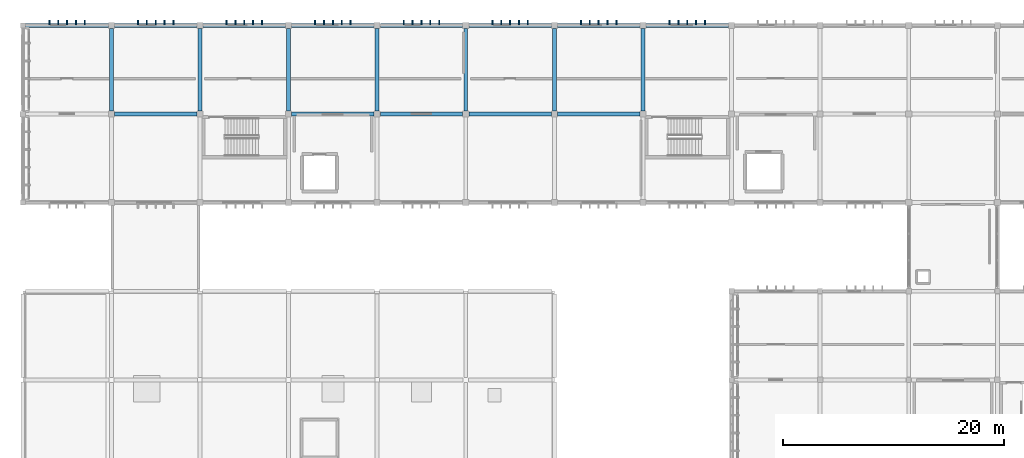
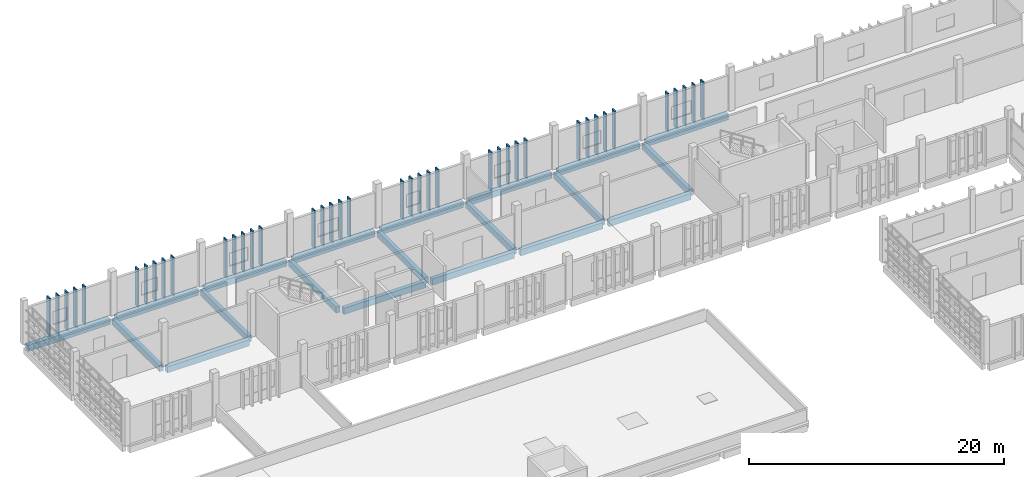
# One storey, part 5 of 32: 40 members, 20 beams.
"""IFC4 building model written with IfcOpenShell, lengths in metres."""

from ifc_helpers import new_model, si_unit, direction, frame, origin, origin_2d, place, context, subcontext, project, spatial, rectangle, extrude, material, material_profile, profile_set, type_object, element, save


model = new_model("IFC4")

# Units and contexts
model_context = context("Model", 3, precision=1e-05, world=origin(), true_north=direction((0.0, 1.0)))
body_context = subcontext(model_context, "Body", "Model", "MODEL_VIEW")
ifc_project = project(units=[si_unit("LENGTHUNIT", "METRE"), si_unit("AREAUNIT", "SQUARE_METRE"), si_unit("VOLUMEUNIT", "CUBIC_METRE"), si_unit("PLANEANGLEUNIT", "RADIAN"), si_unit("MASSUNIT", "GRAM", prefix="KILO")], contexts=[model_context])

# Site, building, storey
site_placement = place(None, origin())
site = spatial("IfcSite", under=ifc_project, at=site_placement, CompositionType="ELEMENT")
building_placement = place(site_placement, origin())
building = spatial("IfcBuilding", under=site, at=building_placement, Name="Jelvoka-Kovrelna Polytechnic", CompositionType="ELEMENT")
storey_placement = place(building_placement, frame((0.0, 0.0, 26.39990234375)))
storey = spatial("IfcBuildingStorey", under=building, at=storey_placement, Name="L07", CompositionType="ELEMENT", Elevation=26.39990234375)

# Beams
ifc_material_1 = material(Name="Concrete C35/45", Category="concrete")
ifc_material_profile_1 = material_profile(ifc_material_1, rectangle(XDim=0.35009765625, YDim=0.60009765625, at=origin_2d()), Name="RC 350x600")
ifc_profile_set_1 = profile_set([ifc_material_profile_1], Name="Concrete C35/45")
beam_type_1 = type_object("IfcBeamType", Name="Beam_RC_350x600", PredefinedType="BEAM", material=ifc_profile_set_1)
for number, where, z_axis, x_axis, name in (
    (1, (72.280029296875, 64.0, -0.539794921875), (1.0, 0.0, 0.0), (0.0, 1.0, 0.0), "L07 beam 1834"),
    (2, (88.280029296875, 64.0, -0.539794921875), (1.0, 0.0, 0.0), (0.0, 1.0, 0.0), "L07 beam 1835"),
    (3, (96.280029296875, 64.0, -0.539794921875), (1.0, 0.0, 0.0), (0.0, 1.0, 0.0), "L07 beam 1836"),
    (4, (104.280029296875, 64.0, -0.539794921875), (1.0, 0.0, 0.0), (0.0, 1.0, 0.0), "L07 beam 1837"),
    (5, (72.0, 64.280029296875, -0.539794921875), (0.0, 1.0, 0.0), (-1.0, 0.0, 0.0), "L07 beam 1847"),
    (6, (80.0, 64.280029296875, -0.539794921875), (0.0, 1.0, 0.0), (-1.0, 0.0, 0.0), "L07 beam 1849"),
    (7, (88.0, 64.280029296875, -0.539794921875), (0.0, 1.0, 0.0), (-1.0, 0.0, 0.0), "L07 beam 1851"),
    (8, (96.0, 64.280029296875, -0.539794921875), (0.0, 1.0, 0.0), (-1.0, 0.0, 0.0), "L07 beam 1853"),
    (9, (104.0, 64.280029296875, -0.539794921875), (0.0, 1.0, 0.0), (-1.0, 0.0, 0.0), "L07 beam 1855"),
    (10, (112.0, 64.280029296875, -0.539794921875), (0.0, 1.0, 0.0), (-1.0, 0.0, 0.0), "L07 beam 1857"),
    (11, (112.280029296875, 64.0, -0.539794921875), (1.0, 0.0, 0.0), (0.0, 1.0, 0.0), "L07 beam 1867"),
    (12, (120.0, 64.280029296875, -0.539794921875), (0.0, 1.0, 0.0), (-1.0, 0.0, 0.0), "L07 beam 1884"),
):
    element("IfcBeam", number, at=place(storey_placement, frame(where, z_axis=z_axis, x_axis=x_axis)), inside=storey, type_object=beam_type_1, Name=name, PredefinedType="BEAM", context=body_context, shape_type="SweptSolid", body=[
        extrude(rectangle(XDim=0.35009765625, YDim=0.60009765625, at=origin_2d()), origin(), (0.0, 0.0, 1.0), 7.43994140625),
    ])

# Members
ifc_material_2 = material(Name="Precast concrete C40/50", Category="concrete")
ifc_material_profile_2 = material_profile(ifc_material_2, rectangle(XDim=0.1201171875, YDim=0.449951171875, at=origin_2d()), Name="PC 120x450")
ifc_profile_set_2 = profile_set([ifc_material_profile_2], Name="Precast concrete C40/50")
member_type = type_object("IfcMemberType", Name="Louvre_Fin_120x450", PredefinedType="USERDEFINED", material=ifc_profile_set_2)
for number, where, z_axis, x_axis, name in (
    (13, (66.39990234375, 72.264892578125, -0.27001953125), (0.0, 0.0, 1.0), (1.0, 0.0, 0.0), "L07 B3 north vertical solar louvre fin 2086"),
    (14, (67.199951171875, 72.264892578125, -0.27001953125), (0.0, 0.0, 1.0), (1.0, 0.0, 0.0), "L07 B3 north vertical solar louvre fin 2087"),
    (15, (68.0, 72.264892578125, -0.27001953125), (0.0, 0.0, 1.0), (1.0, 0.0, 0.0), "L07 B3 north vertical solar louvre fin 2088"),
    (16, (68.800048828125, 72.264892578125, -0.27001953125), (0.0, 0.0, 1.0), (1.0, 0.0, 0.0), "L07 B3 north vertical solar louvre fin 2089"),
    (17, (69.60009765625, 72.264892578125, -0.27001953125), (0.0, 0.0, 1.0), (1.0, 0.0, 0.0), "L07 B3 north vertical solar louvre fin 2090"),
    (18, (74.39990234375, 72.264892578125, -0.27001953125), (0.0, 0.0, 1.0), (1.0, 0.0, 0.0), "L07 B3 north vertical solar louvre fin 2096"),
    (19, (75.199951171875, 72.264892578125, -0.27001953125), (0.0, 0.0, 1.0), (1.0, 0.0, 0.0), "L07 B3 north vertical solar louvre fin 2097"),
    (20, (76.0, 72.264892578125, -0.27001953125), (0.0, 0.0, 1.0), (1.0, 0.0, 0.0), "L07 B3 north vertical solar louvre fin 2098"),
    (21, (76.800048828125, 72.264892578125, -0.27001953125), (0.0, 0.0, 1.0), (1.0, 0.0, 0.0), "L07 B3 north vertical solar louvre fin 2099"),
    (22, (77.60009765625, 72.264892578125, -0.27001953125), (0.0, 0.0, 1.0), (1.0, 0.0, 0.0), "L07 B3 north vertical solar louvre fin 2100"),
    (23, (82.39990234375, 72.264892578125, -0.27001953125), (0.0, 0.0, 1.0), (1.0, 0.0, 0.0), "L07 B3 north vertical solar louvre fin 2106"),
    (24, (83.199951171875, 72.264892578125, -0.27001953125), (0.0, 0.0, 1.0), (1.0, 0.0, 0.0), "L07 B3 north vertical solar louvre fin 2107"),
    (25, (84.0, 72.264892578125, -0.27001953125), (0.0, 0.0, 1.0), (1.0, 0.0, 0.0), "L07 B3 north vertical solar louvre fin 2108"),
    (26, (84.800048828125, 72.264892578125, -0.27001953125), (0.0, 0.0, 1.0), (1.0, 0.0, 0.0), "L07 B3 north vertical solar louvre fin 2109"),
    (27, (85.60009765625, 72.264892578125, -0.27001953125), (0.0, 0.0, 1.0), (1.0, 0.0, 0.0), "L07 B3 north vertical solar louvre fin 2110"),
    (28, (90.39990234375, 72.264892578125, -0.27001953125), (0.0, 0.0, 1.0), (1.0, 0.0, 0.0), "L07 B3 north vertical solar louvre fin 2116"),
    (29, (91.199951171875, 72.264892578125, -0.27001953125), (0.0, 0.0, 1.0), (1.0, 0.0, 0.0), "L07 B3 north vertical solar louvre fin 2117"),
    (30, (92.0, 72.264892578125, -0.27001953125), (0.0, 0.0, 1.0), (1.0, 0.0, 0.0), "L07 B3 north vertical solar louvre fin 2118"),
    (31, (92.800048828125, 72.264892578125, -0.27001953125), (0.0, 0.0, 1.0), (1.0, 0.0, 0.0), "L07 B3 north vertical solar louvre fin 2119"),
    (32, (93.60009765625, 72.264892578125, -0.27001953125), (0.0, 0.0, 1.0), (1.0, 0.0, 0.0), "L07 B3 north vertical solar louvre fin 2120"),
    (33, (98.39990234375, 72.264892578125, -0.27001953125), (0.0, 0.0, 1.0), (1.0, 0.0, 0.0), "L07 B3 north vertical solar louvre fin 2126"),
    (34, (99.199951171875, 72.264892578125, -0.27001953125), (0.0, 0.0, 1.0), (1.0, 0.0, 0.0), "L07 B3 north vertical solar louvre fin 2127"),
    (35, (100.0, 72.264892578125, -0.27001953125), (0.0, 0.0, 1.0), (1.0, 0.0, 0.0), "L07 B3 north vertical solar louvre fin 2128"),
    (36, (100.800048828125, 72.264892578125, -0.27001953125), (0.0, 0.0, 1.0), (1.0, 0.0, 0.0), "L07 B3 north vertical solar louvre fin 2129"),
    (37, (101.60009765625, 72.264892578125, -0.27001953125), (0.0, 0.0, 1.0), (1.0, 0.0, 0.0), "L07 B3 north vertical solar louvre fin 2130"),
    (38, (106.39990234375, 72.264892578125, -0.27001953125), (0.0, 0.0, 1.0), (1.0, 0.0, 0.0), "L07 B3 north vertical solar louvre fin 2136"),
    (39, (107.199951171875, 72.264892578125, -0.27001953125), (0.0, 0.0, 1.0), (1.0, 0.0, 0.0), "L07 B3 north vertical solar louvre fin 2137"),
    (40, (108.0, 72.264892578125, -0.27001953125), (0.0, 0.0, 1.0), (1.0, 0.0, 0.0), "L07 B3 north vertical solar louvre fin 2138"),
    (41, (108.800048828125, 72.264892578125, -0.27001953125), (0.0, 0.0, 1.0), (1.0, 0.0, 0.0), "L07 B3 north vertical solar louvre fin 2139"),
    (42, (109.60009765625, 72.264892578125, -0.27001953125), (0.0, 0.0, 1.0), (1.0, 0.0, 0.0), "L07 B3 north vertical solar louvre fin 2140"),
    (43, (114.39990234375, 72.264892578125, -0.27001953125), (0.0, 0.0, 1.0), (1.0, 0.0, 0.0), "L07 B3 north vertical solar louvre fin 2146"),
    (44, (115.199951171875, 72.264892578125, -0.27001953125), (0.0, 0.0, 1.0), (1.0, 0.0, 0.0), "L07 B3 north vertical solar louvre fin 2147"),
    (45, (116.0, 72.264892578125, -0.27001953125), (0.0, 0.0, 1.0), (1.0, 0.0, 0.0), "L07 B3 north vertical solar louvre fin 2148"),
    (46, (116.800048828125, 72.264892578125, -0.27001953125), (0.0, 0.0, 1.0), (1.0, 0.0, 0.0), "L07 B3 north vertical solar louvre fin 2149"),
    (47, (117.60009765625, 72.264892578125, -0.27001953125), (0.0, 0.0, 1.0), (1.0, 0.0, 0.0), "L07 B3 north vertical solar louvre fin 2150"),
    (48, (122.39990234375, 72.264892578125, -0.27001953125), (0.0, 0.0, 1.0), (1.0, 0.0, 0.0), "L07 B3 north vertical solar louvre fin 2156"),
    (49, (123.199951171875, 72.264892578125, -0.27001953125), (0.0, 0.0, 1.0), (1.0, 0.0, 0.0), "L07 B3 north vertical solar louvre fin 2157"),
    (50, (124.0, 72.264892578125, -0.27001953125), (0.0, 0.0, 1.0), (1.0, 0.0, 0.0), "L07 B3 north vertical solar louvre fin 2158"),
    (51, (124.800048828125, 72.264892578125, -0.27001953125), (0.0, 0.0, 1.0), (1.0, 0.0, 0.0), "L07 B3 north vertical solar louvre fin 2159"),
    (52, (125.60009765625, 72.264892578125, -0.27001953125), (0.0, 0.0, 1.0), (1.0, 0.0, 0.0), "L07 B3 north vertical solar louvre fin 2160"),
):
    element("IfcMember", number, at=place(storey_placement, frame(where, z_axis=z_axis, x_axis=x_axis)), inside=storey, type_object=member_type, Name=name, ObjectType="SUNSHADE", PredefinedType="USERDEFINED", context=body_context, shape_type="SweptSolid", body=[
        extrude(rectangle(XDim=0.1201171875, YDim=0.449951171875, at=origin_2d()), origin(), (0.0, 0.0, 1.0), 3.670166015625),
    ])

# Beams
ifc_material_3 = material(Name="Concrete C40/50", Category="concrete")
ifc_material_profile_3 = material_profile(ifc_material_3, rectangle(XDim=0.35009765625, YDim=0.60009765625, at=origin_2d()), Name="RC 350x600")
ifc_profile_set_3 = profile_set([ifc_material_profile_3], Name="Concrete C40/50")
beam_type_2 = type_object("IfcBeamType", Name="Spandrel_RC_350x600", PredefinedType="SPANDREL", material=ifc_profile_set_3)
beam_placement = place(storey_placement, frame((64.2548828125, 72.0, -0.539794921875), z_axis=(1.0, 0.0, 0.0), x_axis=(0.0, 1.0, 0.0)))
element("IfcBeam", 53, at=beam_placement, inside=storey, type_object=beam_type_2, Name="L07 beam 1838", PredefinedType="SPANDREL", context=body_context, shape_type="SweptSolid", body=[
    extrude(rectangle(XDim=0.35009765625, YDim=0.60009765625, at=origin_2d()), origin(), (0.0, 0.0, 1.0), 7.465087890625),
])
for number, where, z_axis, x_axis, name in (
    (54, (72.280029296875, 72.0, -0.539794921875), (1.0, 0.0, 0.0), (0.0, 1.0, 0.0), "L07 beam 1839"),
    (55, (80.280029296875, 72.0, -0.539794921875), (1.0, 0.0, 0.0), (0.0, 1.0, 0.0), "L07 beam 1840"),
    (56, (88.280029296875, 72.0, -0.539794921875), (1.0, 0.0, 0.0), (0.0, 1.0, 0.0), "L07 beam 1841"),
    (57, (96.280029296875, 72.0, -0.539794921875), (1.0, 0.0, 0.0), (0.0, 1.0, 0.0), "L07 beam 1842"),
    (58, (104.280029296875, 72.0, -0.539794921875), (1.0, 0.0, 0.0), (0.0, 1.0, 0.0), "L07 beam 1843"),
    (59, (112.280029296875, 72.0, -0.539794921875), (1.0, 0.0, 0.0), (0.0, 1.0, 0.0), "L07 beam 1874"),
    (60, (120.280029296875, 72.0, -0.539794921875), (1.0, 0.0, 0.0), (0.0, 1.0, 0.0), "L07 beam 1875"),
):
    element("IfcBeam", number, at=place(storey_placement, frame(where, z_axis=z_axis, x_axis=x_axis)), inside=storey, type_object=beam_type_2, Name=name, PredefinedType="SPANDREL", context=body_context, shape_type="SweptSolid", body=[
        extrude(rectangle(XDim=0.35009765625, YDim=0.60009765625, at=origin_2d()), origin(), (0.0, 0.0, 1.0), 7.43994140625),
    ])

save(model, "model.ifc")
